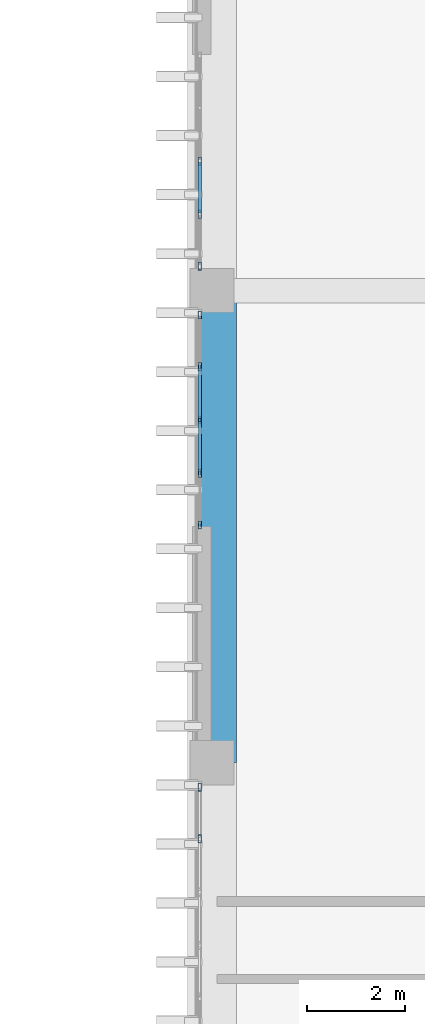
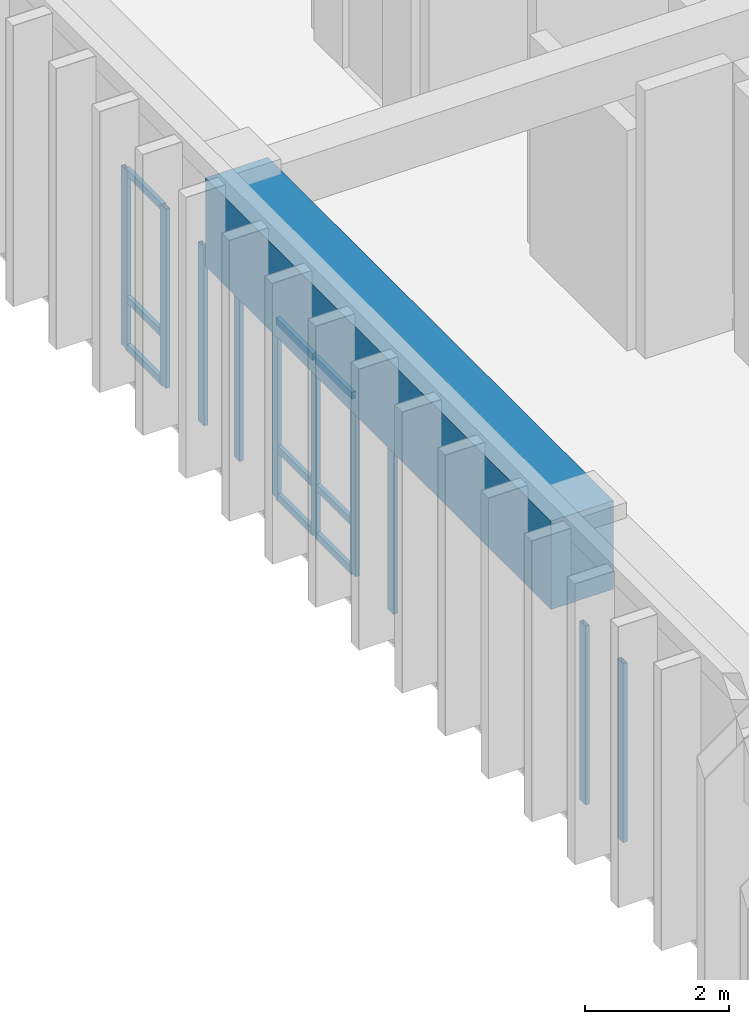
# One storey, part 53 of 101: 19 members, 1 beam, 3 elements without a shape of their own.
"""IFC4 building model written with IfcOpenShell, lengths in metres."""

from ifc_helpers import new_model, si_unit, direction, frame, origin, origin_2d, place, context, subcontext, project, spatial, rectangle, hollow_rectangle, extrude, material, layer, layer_set, material_profile, profile_set, type_object, element, aggregate, save


model = new_model("IFC4")

# Units and contexts
model_context = context("Model", 3, precision=1e-05, world=origin(), true_north=direction((0.0, 1.0)))
body_context = subcontext(model_context, "Body", "Model", "MODEL_VIEW")
ifc_project = project(units=[si_unit("LENGTHUNIT", "METRE"), si_unit("AREAUNIT", "SQUARE_METRE"), si_unit("VOLUMEUNIT", "CUBIC_METRE"), si_unit("PLANEANGLEUNIT", "RADIAN"), si_unit("MASSUNIT", "GRAM", prefix="KILO")], contexts=[model_context])

# Site, building, storey
site_placement = place(None, origin())
site = spatial("IfcSite", under=ifc_project, at=site_placement, CompositionType="ELEMENT")
building_placement = place(site_placement, origin())
building = spatial("IfcBuilding", under=site, at=building_placement, Name="Nakhvara Creek Congress Hotel", CompositionType="ELEMENT")
storey_placement = place(building_placement, frame((0.0, 0.0, 16.199951171875)))
storey = spatial("IfcBuildingStorey", under=building, at=storey_placement, Name="L03", CompositionType="ELEMENT", Elevation=16.199951171875)

# Beam
ifc_material_1 = material(Name="Concrete C50/60", Category="concrete")
ifc_material_profile_1 = material_profile(ifc_material_1, rectangle(XDim=1.0, YDim=1.5, at=origin_2d()), Name="RC-TG 1000x1500", Category="LoadBearing")
ifc_profile_set_1 = profile_set([ifc_material_profile_1], Name="Concrete C50/60")
beam_type = type_object("IfcBeamType", Name="BM-TG2-1500", PredefinedType="BEAM", material=ifc_profile_set_1)
beam_placement = place(storey_placement, frame((149.449951171875, 105.60009765625, 3.7900390625), z_axis=(0.0, 1.0, 0.0), x_axis=(-1.0, 0.0, 0.0)))
element("IfcBeam", 1, at=beam_placement, inside=storey, type_object=beam_type, Name="Transfer Girder TG2-L03-1840", PredefinedType="BEAM", context=body_context, shape_type="SweptSolid", body=[
    extrude(rectangle(XDim=1.0, YDim=1.5, at=origin_2d()), origin(), (0.0, 0.0, 1.0), 9.599853515625),
])

# Curtain wall, members
ifc_material_2 = material(Name="Bronze-anodised aluminium AW-6063-T6 and double-silver low-E glass", Category="aluminium")
ifc_layer = layer(ifc_material_2, 0.199951171875)
ifc_layer_set = layer_set([ifc_layer], Name="Bronze-anodised aluminium AW-6063-T6 and double-silver low-E glass")
curtain_wall_type = type_object("IfcCurtainWallType", Name="CW-HTL-UNIT", PredefinedType="USERDEFINED", material=ifc_layer_set)
curtain_wall_1_placement = place(storey_placement, origin())
curtain_wall_1 = element("IfcCurtainWall", 2, at=curtain_wall_1_placement, inside=storey, type_object=curtain_wall_type, Name="Curtain Wall CW166", ObjectType="UNITISED", PredefinedType="USERDEFINED")
ifc_material_3 = material(Name="Bronze-anodised aluminium AW-6063-T6", Category="aluminium")
ifc_material_profile_2 = material_profile(ifc_material_3, hollow_rectangle(XDim=0.06494140625, YDim=0.159912109375, WallThickness=0.00390625, at=origin_2d()), Name="ALU-MULL 65x160x4", Category="LoadBearing")
ifc_profile_set_2 = profile_set([ifc_material_profile_2], Name="Bronze-anodised aluminium AW-6063-T6")
member_type_1 = type_object("IfcMemberType", Name="CW-MULL-160", PredefinedType="MULLION", material=ifc_profile_set_2)
member_1_placement = place(storey_placement, frame((149.199951171875, 104.05126953125, 0.0), z_axis=(0.0, 0.0, 1.0), x_axis=(-1.0, 0.0, 0.0)))
member_1 = element("IfcMember", 3, at=member_1_placement, type_object=member_type_1, Name="CW166 mullion 4", PredefinedType="MULLION", context=body_context, shape_type="SweptSolid", body=[
    extrude(hollow_rectangle(XDim=0.06494140625, YDim=0.159912109375, WallThickness=0.00390625, at=origin_2d()), origin(), (0.0, 0.0, 1.0), 3.031982421875),
])
member_2_placement = place(storey_placement, frame((149.199951171875, 105.1025390625, 0.0), z_axis=(0.0, 0.0, 1.0), x_axis=(-1.0, 0.0, 0.0)))
member_2 = element("IfcMember", 4, at=member_2_placement, type_object=member_type_1, Name="CW166 mullion 5", PredefinedType="MULLION", context=body_context, shape_type="SweptSolid", body=[
    extrude(hollow_rectangle(XDim=0.06494140625, YDim=0.159912109375, WallThickness=0.00390625, at=origin_2d()), origin(), (0.0, 0.0, 1.0), 3.031982421875),
])
aggregate(curtain_wall_1, [member_1, member_2])

curtain_wall_2_placement = place(storey_placement, origin())
curtain_wall_2 = element("IfcCurtainWall", 5, at=curtain_wall_2_placement, inside=storey, type_object=curtain_wall_type, Name="Curtain Wall CW168", ObjectType="UNITISED", PredefinedType="USERDEFINED")
member_3_placement = place(storey_placement, frame((149.199951171875, 110.4326171875, 0.0), z_axis=(0.0, 0.0, 1.0), x_axis=(-1.0, 0.0, 0.0)))
member_3 = element("IfcMember", 6, at=member_3_placement, type_object=member_type_1, Name="CW168 mullion 1", PredefinedType="MULLION", context=body_context, shape_type="SweptSolid", body=[
    extrude(hollow_rectangle(XDim=0.06494140625, YDim=0.159912109375, WallThickness=0.00390625, at=origin_2d()), origin(), (0.0, 0.0, 1.0), 3.031982421875),
])
member_4_placement = place(storey_placement, frame((149.199951171875, 111.483642578125, 0.0), z_axis=(0.0, 0.0, 1.0), x_axis=(-1.0, 0.0, 0.0)))
member_4 = element("IfcMember", 7, at=member_4_placement, type_object=member_type_1, Name="CW168 mullion 2", PredefinedType="MULLION", context=body_context, shape_type="SweptSolid", body=[
    extrude(hollow_rectangle(XDim=0.06494140625, YDim=0.159912109375, WallThickness=0.00390625, at=origin_2d()), origin(), (0.0, 0.0, 1.0), 3.031982421875),
])
member_5_placement = place(storey_placement, frame((149.199951171875, 112.5673828125, 0.0), z_axis=(0.0, 0.0, 1.0), x_axis=(-1.0, 0.0, 0.0)))
member_5 = element("IfcMember", 8, at=member_5_placement, type_object=member_type_1, Name="CW168 mullion 3", PredefinedType="MULLION", context=body_context, shape_type="SweptSolid", body=[
    extrude(hollow_rectangle(XDim=0.06494140625, YDim=0.159912109375, WallThickness=0.00390625, at=origin_2d()), origin(), (0.0, 0.0, 1.0), 3.031982421875),
])
member_6_placement = place(storey_placement, frame((149.199951171875, 113.6513671875, 0.0), z_axis=(0.0, 0.0, 1.0), x_axis=(-1.0, 0.0, 0.0)))
member_6 = element("IfcMember", 9, at=member_6_placement, type_object=member_type_1, Name="CW168 mullion 4", PredefinedType="MULLION", context=body_context, shape_type="SweptSolid", body=[
    extrude(hollow_rectangle(XDim=0.06494140625, YDim=0.159912109375, WallThickness=0.00390625, at=origin_2d()), origin(), (0.0, 0.0, 1.0), 3.031982421875),
])
member_7_placement = place(storey_placement, frame((149.199951171875, 114.702392578125, 0.0), z_axis=(0.0, 0.0, 1.0), x_axis=(-1.0, 0.0, 0.0)))
member_7 = element("IfcMember", 10, at=member_7_placement, type_object=member_type_1, Name="CW168 mullion 5", PredefinedType="MULLION", context=body_context, shape_type="SweptSolid", body=[
    extrude(hollow_rectangle(XDim=0.06494140625, YDim=0.159912109375, WallThickness=0.00390625, at=origin_2d()), origin(), (0.0, 0.0, 1.0), 3.031982421875),
])

curtain_wall_3_placement = place(storey_placement, origin())
curtain_wall_3 = element("IfcCurtainWall", 11, at=curtain_wall_3_placement, inside=storey, type_object=curtain_wall_type, Name="Curtain Wall CW170", ObjectType="UNITISED", PredefinedType="USERDEFINED")
member_8_placement = place(storey_placement, frame((149.199951171875, 115.697509765625, 0.0), z_axis=(0.0, 0.0, 1.0), x_axis=(-1.0, 0.0, 0.0)))
member_8 = element("IfcMember", 12, at=member_8_placement, type_object=member_type_1, Name="CW170 mullion 1", PredefinedType="MULLION", context=body_context, shape_type="SweptSolid", body=[
    extrude(hollow_rectangle(XDim=0.06494140625, YDim=0.159912109375, WallThickness=0.00390625, at=origin_2d()), origin(), (0.0, 0.0, 1.0), 3.031982421875),
])
member_9_placement = place(storey_placement, frame((149.199951171875, 116.748779296875, 0.0), z_axis=(0.0, 0.0, 1.0), x_axis=(-1.0, 0.0, 0.0)))
member_9 = element("IfcMember", 13, at=member_9_placement, type_object=member_type_1, Name="CW170 mullion 2", PredefinedType="MULLION", context=body_context, shape_type="SweptSolid", body=[
    extrude(hollow_rectangle(XDim=0.06494140625, YDim=0.159912109375, WallThickness=0.00390625, at=origin_2d()), origin(), (0.0, 0.0, 1.0), 3.031982421875),
])
member_10_placement = place(storey_placement, frame((149.199951171875, 117.83251953125, 0.0), z_axis=(0.0, 0.0, 1.0), x_axis=(-1.0, 0.0, 0.0)))
member_10 = element("IfcMember", 14, at=member_10_placement, type_object=member_type_1, Name="CW170 mullion 3", PredefinedType="MULLION", context=body_context, shape_type="SweptSolid", body=[
    extrude(hollow_rectangle(XDim=0.06494140625, YDim=0.159912109375, WallThickness=0.00390625, at=origin_2d()), origin(), (0.0, 0.0, 1.0), 3.031982421875),
])

# Member
ifc_material_profile_3 = material_profile(ifc_material_3, hollow_rectangle(XDim=0.06494140625, YDim=0.1201171875, WallThickness=0.00390625, at=origin_2d()), Name="ALU-TRAN 65x120x4", Category="LoadBearing")
ifc_profile_set_3 = profile_set([ifc_material_profile_3], Name="Bronze-anodised aluminium AW-6063-T6")
member_type_2 = type_object("IfcMemberType", Name="CW-TRAN-120", PredefinedType="USERDEFINED", material=ifc_profile_set_3)
member_11_placement = place(storey_placement, frame((149.199951171875, 111.516357421875, 0.032470703125), z_axis=(0.0, 1.0, 0.0), x_axis=(-1.0, 0.0, 0.0)))
member_11 = element("IfcMember", 15, at=member_11_placement, type_object=member_type_2, Name="CW168 transom 2.1", ObjectType="TRANSOM", PredefinedType="USERDEFINED", context=body_context, shape_type="SweptSolid", body=[
    extrude(hollow_rectangle(XDim=0.06494140625, YDim=0.1201171875, WallThickness=0.00390625, at=origin_2d()), origin(), (0.0, 0.0, 1.0), 1.0185546875),
])

member_12_placement = place(storey_placement, frame((149.199951171875, 111.516357421875, 0.85009765625), z_axis=(0.0, 1.0, 0.0), x_axis=(-1.0, 0.0, 0.0)))
member_12 = element("IfcMember", 16, at=member_12_placement, type_object=member_type_2, Name="CW168 transom 2.2", ObjectType="TRANSOM", PredefinedType="USERDEFINED", context=body_context, shape_type="SweptSolid", body=[
    extrude(hollow_rectangle(XDim=0.06494140625, YDim=0.1201171875, WallThickness=0.00390625, at=origin_2d()), origin(), (0.0, 0.0, 1.0), 1.0185546875),
])

member_13_placement = place(storey_placement, frame((149.199951171875, 111.516357421875, 2.99951171875), z_axis=(0.0, 1.0, 0.0), x_axis=(-1.0, 0.0, 0.0)))
member_13 = element("IfcMember", 17, at=member_13_placement, type_object=member_type_2, Name="CW168 transom 2.3", ObjectType="TRANSOM", PredefinedType="USERDEFINED", context=body_context, shape_type="SweptSolid", body=[
    extrude(hollow_rectangle(XDim=0.06494140625, YDim=0.1201171875, WallThickness=0.00390625, at=origin_2d()), origin(), (0.0, 0.0, 1.0), 1.0185546875),
])

member_14_placement = place(storey_placement, frame((149.199951171875, 112.60009765625, 0.032470703125), z_axis=(0.0, 1.0, 0.0), x_axis=(-1.0, 0.0, 0.0)))
member_14 = element("IfcMember", 18, at=member_14_placement, type_object=member_type_2, Name="CW168 transom 3.1", ObjectType="TRANSOM", PredefinedType="USERDEFINED", context=body_context, shape_type="SweptSolid", body=[
    extrude(hollow_rectangle(XDim=0.06494140625, YDim=0.1201171875, WallThickness=0.00390625, at=origin_2d()), origin(), (0.0, 0.0, 1.0), 1.0185546875),
])

member_15_placement = place(storey_placement, frame((149.199951171875, 112.60009765625, 0.85009765625), z_axis=(0.0, 1.0, 0.0), x_axis=(-1.0, 0.0, 0.0)))
member_15 = element("IfcMember", 19, at=member_15_placement, type_object=member_type_2, Name="CW168 transom 3.2", ObjectType="TRANSOM", PredefinedType="USERDEFINED", context=body_context, shape_type="SweptSolid", body=[
    extrude(hollow_rectangle(XDim=0.06494140625, YDim=0.1201171875, WallThickness=0.00390625, at=origin_2d()), origin(), (0.0, 0.0, 1.0), 1.0185546875),
])

member_16_placement = place(storey_placement, frame((149.199951171875, 112.60009765625, 2.99951171875), z_axis=(0.0, 1.0, 0.0), x_axis=(-1.0, 0.0, 0.0)))
member_16 = element("IfcMember", 20, at=member_16_placement, type_object=member_type_2, Name="CW168 transom 3.3", ObjectType="TRANSOM", PredefinedType="USERDEFINED", context=body_context, shape_type="SweptSolid", body=[
    extrude(hollow_rectangle(XDim=0.06494140625, YDim=0.1201171875, WallThickness=0.00390625, at=origin_2d()), origin(), (0.0, 0.0, 1.0), 1.0185546875),
])

aggregate(curtain_wall_2, [member_3, member_4, member_5, member_6, member_7, member_11, member_12, member_13, member_14, member_15, member_16])

member_17_placement = place(storey_placement, frame((149.199951171875, 116.78125, 0.032470703125), z_axis=(0.0, 1.0, 0.0), x_axis=(-1.0, 0.0, 0.0)))
member_17 = element("IfcMember", 21, at=member_17_placement, type_object=member_type_2, Name="CW170 transom 2.1", ObjectType="TRANSOM", PredefinedType="USERDEFINED", context=body_context, shape_type="SweptSolid", body=[
    extrude(hollow_rectangle(XDim=0.06494140625, YDim=0.1201171875, WallThickness=0.00390625, at=origin_2d()), origin(), (0.0, 0.0, 1.0), 1.018798828125),
])

member_18_placement = place(storey_placement, frame((149.199951171875, 116.78125, 0.85009765625), z_axis=(0.0, 1.0, 0.0), x_axis=(-1.0, 0.0, 0.0)))
member_18 = element("IfcMember", 22, at=member_18_placement, type_object=member_type_2, Name="CW170 transom 2.2", ObjectType="TRANSOM", PredefinedType="USERDEFINED", context=body_context, shape_type="SweptSolid", body=[
    extrude(hollow_rectangle(XDim=0.06494140625, YDim=0.1201171875, WallThickness=0.00390625, at=origin_2d()), origin(), (0.0, 0.0, 1.0), 1.018798828125),
])

member_19_placement = place(storey_placement, frame((149.199951171875, 116.78125, 2.99951171875), z_axis=(0.0, 1.0, 0.0), x_axis=(-1.0, 0.0, 0.0)))
member_19 = element("IfcMember", 23, at=member_19_placement, type_object=member_type_2, Name="CW170 transom 2.3", ObjectType="TRANSOM", PredefinedType="USERDEFINED", context=body_context, shape_type="SweptSolid", body=[
    extrude(hollow_rectangle(XDim=0.06494140625, YDim=0.1201171875, WallThickness=0.00390625, at=origin_2d()), origin(), (0.0, 0.0, 1.0), 1.018798828125),
])

aggregate(curtain_wall_3, [member_8, member_9, member_10, member_17, member_18, member_19])

save(model, "model.ifc")
